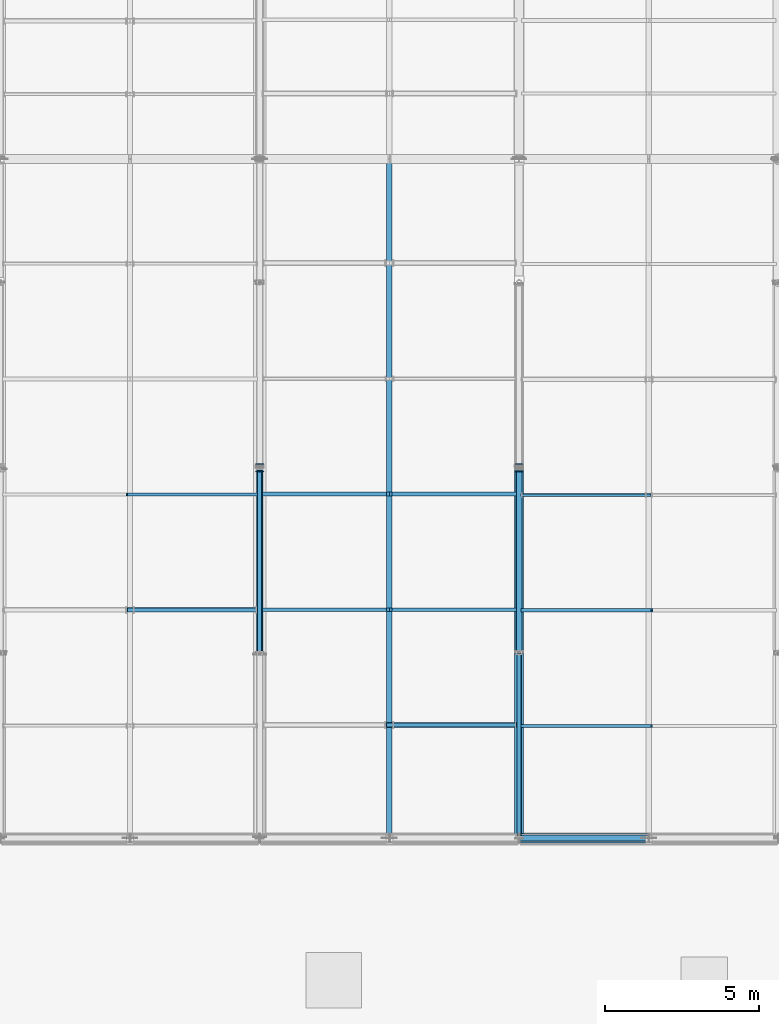
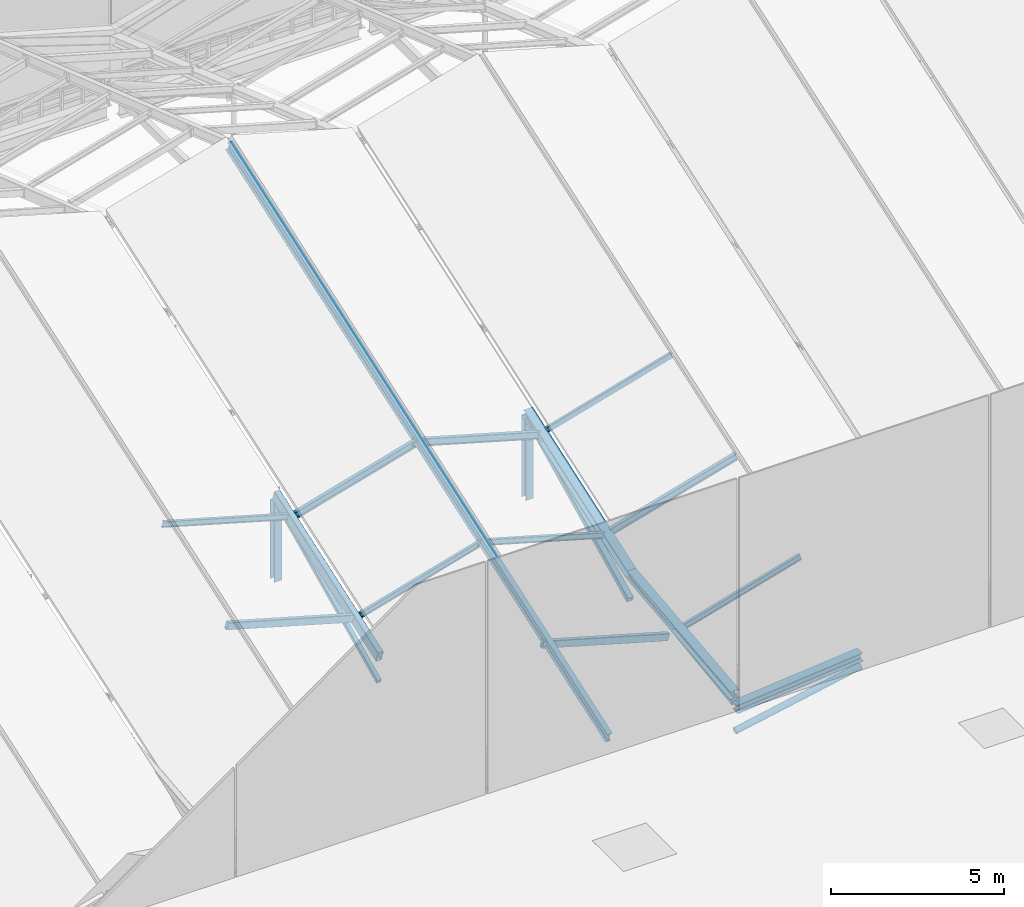
# One storey, part 7 of 77: 21 members.
"""IFC4 building model written with IfcOpenShell, lengths in metres."""

from ifc_helpers import new_model, si_unit, direction, frame, origin, origin_2d, place, context, subcontext, project, spatial, hollow_rectangle, hollow_circle, i_section, extrude, material, material_profile, profile_set, type_object, element, save


model = new_model("IFC4")

# Units and contexts
model_context = context("Model", 3, precision=1e-05, world=origin(), true_north=direction((0.0, 1.0)))
body_context = subcontext(model_context, "Body", "Model", "MODEL_VIEW")
ifc_project = project(units=[si_unit("LENGTHUNIT", "METRE"), si_unit("AREAUNIT", "SQUARE_METRE"), si_unit("VOLUMEUNIT", "CUBIC_METRE"), si_unit("PLANEANGLEUNIT", "RADIAN"), si_unit("MASSUNIT", "GRAM", prefix="KILO")], contexts=[model_context])

# Site, building, storey
site_placement = place(None, origin())
site = spatial("IfcSite", under=ifc_project, at=site_placement, CompositionType="ELEMENT")
building_placement = place(site_placement, origin())
building = spatial("IfcBuilding", under=site, at=building_placement, Name="Larkvane Passage Sports Hall", CompositionType="ELEMENT")
storey_placement = place(building_placement, frame((0.0, 0.0, 22.199951171875)))
storey = spatial("IfcBuildingStorey", under=building, at=storey_placement, Name="RF", CompositionType="ELEMENT", Elevation=22.199951171875)

# Members
ifc_material_1 = material(Name="Steel S355JR", Category="steel")
ifc_material_profile_1 = material_profile(ifc_material_1, hollow_circle(Radius=0.108154296875, WallThickness=0.00830078125, at=origin_2d()), Name="CHS-216.3x8.2")
ifc_profile_set_1 = profile_set([ifc_material_profile_1], Name="Steel S355JR")
member_type_1 = type_object("IfcMemberType", Name="MBR-BR-CHS216", PredefinedType="BRACE", material=ifc_profile_set_1)
member_1_placement = place(storey_placement, frame((60.0, 39.60009765625, -0.780029296875), z_axis=(0.98102339237, 0.0, 0.193889410804), x_axis=(0.0, 1.0, 0.0)))
element("IfcMember", 1, at=member_1_placement, inside=storey, type_object=member_type_1, Name="Arena south valley eave truss web 4A", PredefinedType="BRACE", context=body_context, shape_type="SweptSolid", body=[
    extrude(hollow_circle(Radius=0.108154296875, WallThickness=0.00830078125, at=origin_2d()), origin(), (0.0, 0.0, 1.0), 4.28125),
])
ifc_material_profile_2 = material_profile(ifc_material_1, hollow_rectangle(XDim=0.14990234375, YDim=0.14990234375, WallThickness=0.008056640625, InnerFilletRadius=0.008056640625, OuterFilletRadius=0.01611328125, at=origin_2d()), Name="SHS-150x150x8")
ifc_profile_set_2 = profile_set([ifc_material_profile_2], Name="Steel S355JR")
member_type_2 = type_object("IfcMemberType", Name="MBR-BR-SHS150", PredefinedType="BRACE", material=ifc_profile_set_2)
member_2_placement = place(storey_placement, frame((51.60009765625, 45.64990234375, 0.239990234375), z_axis=(0.0, 0.903687579927, 0.428192430907), x_axis=(-1.0, 0.0, 0.0)))
element("IfcMember", 2, at=member_2_placement, inside=storey, type_object=member_type_2, Name="Arena roof truss 3 web brace 2", PredefinedType="BRACE", context=body_context, shape_type="SweptSolid", body=[
    extrude(hollow_rectangle(XDim=0.14990234375, YDim=0.14990234375, WallThickness=0.008056640625, InnerFilletRadius=0.008056640625, OuterFilletRadius=0.01611328125, at=origin_2d()), origin(), (0.0, 0.0, 1.0), 6.529052734375),
])
member_3_placement = place(storey_placement, frame((60.0, 39.64990234375, 0.18994140625), z_axis=(0.0, 0.990416892785, 0.138110023118), x_axis=(-1.0, 0.0, 0.0)))
element("IfcMember", 3, at=member_3_placement, inside=storey, type_object=member_type_2, Name="Arena roof truss 4 web brace 1", PredefinedType="BRACE", context=body_context, shape_type="SweptSolid", body=[
    extrude(hollow_rectangle(XDim=0.14990234375, YDim=0.14990234375, WallThickness=0.008056640625, InnerFilletRadius=0.008056640625, OuterFilletRadius=0.01611328125, at=origin_2d()), origin(), (0.0, 0.0, 1.0), 5.957275390625),
])
ifc_material_profile_3 = material_profile(ifc_material_1, hollow_rectangle(XDim=0.199951171875, YDim=0.199951171875, WallThickness=0.009033203125, InnerFilletRadius=0.009033203125, OuterFilletRadius=0.01806640625, at=origin_2d()), Name="SHS-200x200x9")
ifc_profile_set_3 = profile_set([ifc_material_profile_3], Name="Steel S355JR")
member_type_3 = type_object("IfcMemberType", Name="MBR-BR-SHS200", PredefinedType="BRACE", material=ifc_profile_set_3)
member_4_placement = place(storey_placement, frame((60.0, 45.64990234375, 0.18994140625), z_axis=(0.0, 0.897723442095, 0.440559441521), x_axis=(-1.0, 0.0, 0.0)))
element("IfcMember", 4, at=member_4_placement, inside=storey, type_object=member_type_3, Name="Arena roof truss 4 web brace 2", PredefinedType="BRACE", context=body_context, shape_type="SweptSolid", body=[
    extrude(hollow_rectangle(XDim=0.199951171875, YDim=0.199951171875, WallThickness=0.009033203125, InnerFilletRadius=0.009033203125, OuterFilletRadius=0.01806640625, at=origin_2d()), origin(), (0.0, 0.0, 1.0), 6.572265625),
])
ifc_material_2 = material(Name="Steel S460N", Category="steel")
ifc_material_profile_4 = material_profile(ifc_material_2, i_section(OverallWidth=0.300048828125, OverallDepth=0.300048828125, WebThickness=0.010009765625, FlangeThickness=0.014892578125, FilletRadius=0.012939453125, at=origin_2d()), Name="H-300x300x10x15")
ifc_profile_set_4 = profile_set([ifc_material_profile_4], Name="Steel S460N")
member_type_4 = type_object("IfcMemberType", Name="MBR-CH-H300", PredefinedType="CHORD", material=ifc_profile_set_4)
member_5_placement = place(storey_placement, frame((60.0, 39.60009765625, 0.5), z_axis=(0.0, 0.994132743148, 0.108166949674), x_axis=(-1.0, 0.0, 0.0)))
element("IfcMember", 5, at=member_5_placement, inside=storey, type_object=member_type_4, Name="Arena roof truss 4 top chord 1", PredefinedType="CHORD", context=body_context, shape_type="SweptSolid", body=[
    extrude(i_section(OverallWidth=0.300048828125, OverallDepth=0.300048828125, WebThickness=0.010009765625, FlangeThickness=0.014892578125, FilletRadius=0.012939453125, at=origin_2d()), origin(), (0.0, 0.0, 1.0), 6.035400390625),
])
member_6_placement = place(storey_placement, frame((60.0, 45.60009765625, 1.15283203125), z_axis=(0.0, 0.945188910593, 0.326524001096), x_axis=(-1.0, 0.0, 0.0)))
element("IfcMember", 6, at=member_6_placement, inside=storey, type_object=member_type_4, Name="Arena roof truss 4 top chord 2", PredefinedType="CHORD", context=body_context, shape_type="SweptSolid", body=[
    extrude(i_section(OverallWidth=0.300048828125, OverallDepth=0.300048828125, WebThickness=0.010009765625, FlangeThickness=0.014892578125, FilletRadius=0.012939453125, at=origin_2d()), origin(), (0.0, 0.0, 1.0), 6.347900390625),
])
member_7_placement = place(storey_placement, frame((60.0, 39.60009765625, 0.050048828125), z_axis=(0.99549755299, 0.0, 0.094787245934), x_axis=(0.0, 1.0, 0.0)))
element("IfcMember", 7, at=member_7_placement, inside=storey, type_object=member_type_4, Name="Arena roof fold tie 4-SEAVE-W", PredefinedType="CHORD", context=body_context, shape_type="SweptSolid", body=[
    extrude(i_section(OverallWidth=0.300048828125, OverallDepth=0.300048828125, WebThickness=0.010009765625, FlangeThickness=0.014892578125, FilletRadius=0.012939453125, at=origin_2d()), origin(), (0.0, 0.0, 1.0), 4.218994140625),
])
ifc_material_profile_5 = material_profile(ifc_material_2, hollow_rectangle(XDim=0.199951171875, YDim=0.39990234375, WallThickness=0.013916015625, InnerFilletRadius=0.013916015625, OuterFilletRadius=0.028076171875, at=origin_2d()), Name="RHS-400x200x14")
ifc_profile_set_5 = profile_set([ifc_material_profile_5], Name="Steel S460N")
member_type_5 = type_object("IfcMemberType", Name="MBR-CH-RHS400", PredefinedType="CHORD", material=ifc_profile_set_5)
member_8_placement = place(storey_placement, frame((51.60009765625, 45.60009765625, 1.15283203125), z_axis=(0.0, 0.945188910593, 0.326524001096), x_axis=(-1.0, 0.0, 0.0)))
element("IfcMember", 8, at=member_8_placement, inside=storey, type_object=member_type_5, Name="Arena roof truss 3 top chord 2", PredefinedType="CHORD", context=body_context, shape_type="SweptSolid", body=[
    extrude(hollow_rectangle(XDim=0.199951171875, YDim=0.39990234375, WallThickness=0.013916015625, InnerFilletRadius=0.013916015625, OuterFilletRadius=0.028076171875, at=origin_2d()), origin(), (0.0, 0.0, 1.0), 6.347900390625),
])
ifc_material_profile_6 = material_profile(ifc_material_1, i_section(OverallWidth=0.10009765625, OverallDepth=0.199951171875, WebThickness=0.005615234375, FlangeThickness=0.008056640625, FilletRadius=0.008056640625, at=origin_2d()), Name="H-200x100x5.5x8")
ifc_profile_set_6 = profile_set([ifc_material_profile_6], Name="Steel S355JR")
member_type_6 = type_object("IfcMemberType", Name="MBR-PR-H200", PredefinedType="PURLIN", material=ifc_profile_set_6)
member_9_placement = place(storey_placement, frame((47.29443359375, 50.727783203125, 4.23046875), z_axis=(0.96152605678, 0.0, -0.274713745804), x_axis=(0.0, 1.0, 0.0)))
element("IfcMember", 9, at=member_9_placement, inside=storey, type_object=member_type_6, Name="Folded roof purlin FRP-B2-SE-3", PredefinedType="PURLIN", context=body_context, shape_type="SweptSolid", body=[
    extrude(i_section(OverallWidth=0.10009765625, OverallDepth=0.199951171875, WebThickness=0.005615234375, FlangeThickness=0.008056640625, FilletRadius=0.008056640625, at=origin_2d()), origin(), (0.0, 0.0, 1.0), 4.367919921875),
])
for number, where, z_axis, x_axis, name in (
    (10, (51.716064453125, 47.000244140625, 1.701904296875), (0.961511291812, 0.0, 0.274765419436), (0.0, 1.0, 0.0), "Folded roof purlin FRP-B3-SW-2"),
    (11, (55.68408203125, 47.000244140625, 2.902099609375), (0.961511291812, 0.0, -0.274765419436), (0.0, 1.0, 0.0), "Folded roof purlin FRP-B3-SE-2"),
    (12, (60.09521484375, 43.235107421875, 0.48291015625), (0.961511291812, 0.0, 0.274765419436), (0.0, 1.0, 0.0), "Folded roof purlin FRP-B4-SW-1"),
):
    element("IfcMember", number, at=place(storey_placement, frame(where, z_axis=z_axis, x_axis=x_axis)), inside=storey, type_object=member_type_6, Name=name, PredefinedType="PURLIN", context=body_context, shape_type="SweptSolid", body=[
        extrude(i_section(OverallWidth=0.10009765625, OverallDepth=0.199951171875, WebThickness=0.005615234375, FlangeThickness=0.008056640625, FilletRadius=0.008056640625, at=origin_2d()), origin(), (0.0, 0.0, 1.0), 4.3681640625),
    ])
ifc_material_profile_7 = material_profile(ifc_material_1, i_section(OverallWidth=0.125, OverallDepth=0.25, WebThickness=0.006103515625, FlangeThickness=0.009033203125, FilletRadius=0.008056640625, at=origin_2d()), Name="H-250x125x6x9")
ifc_profile_set_7 = profile_set([ifc_material_profile_7], Name="Steel S355JR")
member_type_7 = type_object("IfcMemberType", Name="MBR-PR-H250", PredefinedType="PURLIN", material=ifc_profile_set_7)
for number, where, z_axis, x_axis, name in (
    (13, (51.72265625, 50.748046875, 2.97119140625), (0.96152605678, 0.0, 0.274713745804), (0.0, 1.0, 0.0), "Folded roof purlin FRP-B3-SW-3"),
    (14, (55.677490234375, 50.748046875, 4.171142578125), (0.96152605678, 0.0, -0.274713745804), (0.0, 1.0, 0.0), "Folded roof purlin FRP-B3-SE-3"),
):
    element("IfcMember", number, at=place(storey_placement, frame(where, z_axis=z_axis, x_axis=x_axis)), inside=storey, type_object=member_type_7, Name=name, PredefinedType="PURLIN", context=body_context, shape_type="SweptSolid", body=[
        extrude(i_section(OverallWidth=0.125, OverallDepth=0.25, WebThickness=0.006103515625, FlangeThickness=0.009033203125, FilletRadius=0.008056640625, at=origin_2d()), origin(), (0.0, 0.0, 1.0), 4.367919921875),
    ])
member_10_placement = place(storey_placement, frame((60.1015625, 46.98291015625, 1.752197265625), z_axis=(0.961530274547, 0.0, 0.27469898276), x_axis=(0.0, 1.0, 0.0)))
element("IfcMember", 15, at=member_10_placement, inside=storey, type_object=member_type_7, Name="Folded roof purlin FRP-B4-SW-2", PredefinedType="PURLIN", context=body_context, shape_type="SweptSolid", body=[
    extrude(i_section(OverallWidth=0.125, OverallDepth=0.25, WebThickness=0.006103515625, FlangeThickness=0.009033203125, FilletRadius=0.008056640625, at=origin_2d()), origin(), (0.0, 0.0, 1.0), 4.3681640625),
])
ifc_material_profile_8 = material_profile(ifc_material_1, hollow_rectangle(XDim=0.10009765625, YDim=0.199951171875, WallThickness=0.008056640625, InnerFilletRadius=0.008056640625, OuterFilletRadius=0.01611328125, at=origin_2d()), Name="RHS-200x100x8")
ifc_profile_set_8 = profile_set([ifc_material_profile_8], Name="Steel S355JR")
member_type_8 = type_object("IfcMemberType", Name="MBR-PR-RHS200", PredefinedType="PURLIN", material=ifc_profile_set_8)
member_11_placement = place(storey_placement, frame((60.09521484375, 50.715087890625, 3.06689453125), z_axis=(0.961511291812, 0.0, 0.274765419436), x_axis=(0.0, 1.0, 0.0)))
element("IfcMember", 16, at=member_11_placement, inside=storey, type_object=member_type_8, Name="Folded roof purlin FRP-B4-SW-3", PredefinedType="PURLIN", context=body_context, shape_type="SweptSolid", body=[
    extrude(hollow_rectangle(XDim=0.10009765625, YDim=0.199951171875, WallThickness=0.008056640625, InnerFilletRadius=0.008056640625, OuterFilletRadius=0.01611328125, at=origin_2d()), origin(), (0.0, 0.0, 1.0), 4.3681640625),
])
ifc_material_profile_9 = material_profile(ifc_material_1, hollow_rectangle(XDim=0.14990234375, YDim=0.25, WallThickness=0.009033203125, InnerFilletRadius=0.009033203125, OuterFilletRadius=0.01806640625, at=origin_2d()), Name="RHS-250x150x9")
ifc_profile_set_9 = profile_set([ifc_material_profile_9], Name="Steel S355JR")
member_type_9 = type_object("IfcMemberType", Name="MBR-PR-RHS250", PredefinedType="PURLIN", material=ifc_profile_set_9)
member_12_placement = place(storey_placement, frame((47.287841796875, 46.99560546875, 2.915771484375), z_axis=(0.961511291812, 0.0, -0.274765419436), x_axis=(0.0, 1.0, 0.0)))
element("IfcMember", 17, at=member_12_placement, inside=storey, type_object=member_type_9, Name="Folded roof purlin FRP-B2-SE-2", PredefinedType="PURLIN", context=body_context, shape_type="SweptSolid", body=[
    extrude(hollow_rectangle(XDim=0.14990234375, YDim=0.25, WallThickness=0.009033203125, InnerFilletRadius=0.009033203125, OuterFilletRadius=0.01806640625, at=origin_2d()), origin(), (0.0, 0.0, 1.0), 4.3681640625),
])
member_13_placement = place(storey_placement, frame((55.677490234375, 43.26806640625, 1.587158203125), z_axis=(0.96152605678, 0.0, -0.274713745804), x_axis=(0.0, 1.0, 0.0)))
element("IfcMember", 18, at=member_13_placement, inside=storey, type_object=member_type_9, Name="Folded roof purlin FRP-B3-SE-1", PredefinedType="PURLIN", context=body_context, shape_type="SweptSolid", body=[
    extrude(hollow_rectangle(XDim=0.14990234375, YDim=0.25, WallThickness=0.009033203125, InnerFilletRadius=0.009033203125, OuterFilletRadius=0.01806640625, at=origin_2d()), origin(), (0.0, 0.0, 1.0), 4.367919921875),
])
ifc_material_profile_10 = material_profile(ifc_material_1, i_section(OverallWidth=0.175048828125, OverallDepth=0.35009765625, WebThickness=0.007080078125, FlangeThickness=0.010986328125, FilletRadius=0.012939453125, at=origin_2d()), Name="H-350x175x7x11")
ifc_profile_set_10 = profile_set([ifc_material_profile_10], Name="Steel S355JR")
member_type_10 = type_object("IfcMemberType", Name="MBR-RF-H350", PredefinedType="RAFTER", material=ifc_profile_set_10)
member_14_placement = place(storey_placement, frame((55.800048828125, 39.60009765625, 0.449951171875), z_axis=(0.0, 0.945188910593, 0.326524001096), x_axis=(-1.0, 0.0, 0.0)))
element("IfcMember", 19, at=member_14_placement, inside=storey, type_object=member_type_10, Name="Arena roof fold peak rafter 3-S", PredefinedType="RAFTER", context=body_context, shape_type="SweptSolid", body=[
    extrude(i_section(OverallWidth=0.175048828125, OverallDepth=0.35009765625, WebThickness=0.007080078125, FlangeThickness=0.010986328125, FilletRadius=0.012939453125, at=origin_2d()), origin(), (0.0, 0.0, 1.0), 23.27587890625),
])
ifc_material_profile_11 = material_profile(ifc_material_1, i_section(OverallWidth=0.25, OverallDepth=0.25, WebThickness=0.009033203125, FlangeThickness=0.013916015625, FilletRadius=0.012939453125, at=origin_2d()), Name="H-250x250x9x14")
ifc_profile_set_11 = profile_set([ifc_material_profile_11], Name="Steel S355JR")
member_type_11 = type_object("IfcMemberType", Name="MBR-ST-H250", PredefinedType="STRUT", material=ifc_profile_set_11)
member_15_placement = place(storey_placement, frame((51.60009765625, 51.60009765625, 0.239990234375), z_axis=(0.0, 0.0, 1.0), x_axis=(1.0, 0.0, 0.0)))
element("IfcMember", 20, at=member_15_placement, inside=storey, type_object=member_type_11, Name="Arena roof truss 3 vertical strut 2", PredefinedType="STRUT", context=body_context, shape_type="SweptSolid", body=[
    extrude(i_section(OverallWidth=0.25, OverallDepth=0.25, WebThickness=0.009033203125, FlangeThickness=0.013916015625, FilletRadius=0.012939453125, at=origin_2d()), origin(), (0.0, 0.0, 1.0), 2.795654296875),
])
member_16_placement = place(storey_placement, frame((60.0, 51.60009765625, 0.18994140625), z_axis=(0.0, 0.0, 1.0), x_axis=(1.0, 0.0, 0.0)))
element("IfcMember", 21, at=member_16_placement, inside=storey, type_object=member_type_11, Name="Arena roof truss 4 vertical strut 2", PredefinedType="STRUT", context=body_context, shape_type="SweptSolid", body=[
    extrude(i_section(OverallWidth=0.25, OverallDepth=0.25, WebThickness=0.009033203125, FlangeThickness=0.013916015625, FilletRadius=0.012939453125, at=origin_2d()), origin(), (0.0, 0.0, 1.0), 2.8955078125),
])

save(model, "model.ifc")
